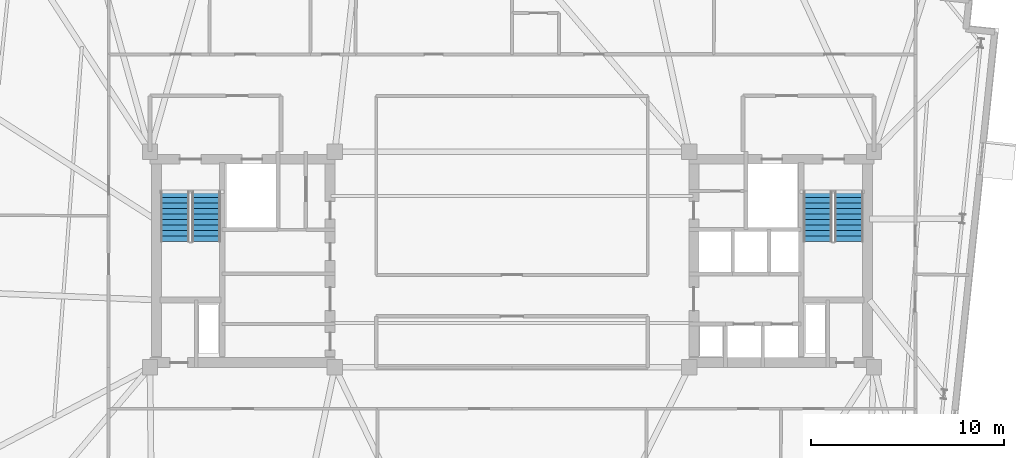
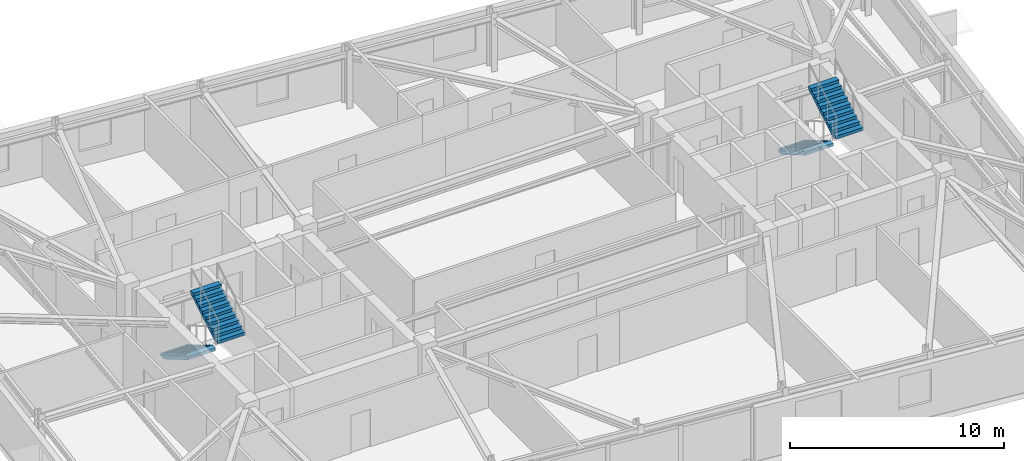
# One storey, part 11 of 13: 4 stair flights, 2 elements without a shape of their own.
"""IFC4 building model written with IfcOpenShell, lengths in metres."""

from ifc_helpers import new_model, si_unit, direction, frame, origin, place, context, subcontext, project, spatial, polyline, outline, extrude, material, type_object, element, aggregate, save


model = new_model("IFC4")

# Units and contexts
model_context = context("Model", 3, precision=1e-05, world=origin(), true_north=direction((0.0, 1.0)))
body_context = subcontext(model_context, "Body", "Model", "MODEL_VIEW")
ifc_project = project(units=[si_unit("LENGTHUNIT", "METRE"), si_unit("AREAUNIT", "SQUARE_METRE"), si_unit("VOLUMEUNIT", "CUBIC_METRE"), si_unit("PLANEANGLEUNIT", "RADIAN"), si_unit("MASSUNIT", "GRAM", prefix="KILO")], contexts=[model_context])

# Site, building, storey
site_placement = place(None, origin())
site = spatial("IfcSite", under=ifc_project, at=site_placement, CompositionType="ELEMENT")
building_placement = place(site_placement, origin())
building = spatial("IfcBuilding", under=site, at=building_placement, Name="Qobustan Lattice House", CompositionType="ELEMENT")
storey_placement = place(building_placement, frame((0.0, 0.0, 196.39990234375)))
storey = spatial("IfcBuildingStorey", under=building, at=storey_placement, Name="L55", CompositionType="ELEMENT", Elevation=196.39990234375)

# Stair, stair flights
ifc_material_1 = material(Name="Concrete C40/50", Category="concrete")
stair_type = type_object("IfcStairType", Name="STR-CORE-DOGLEG", PredefinedType="HALF_TURN_STAIR", material=ifc_material_1)
stair_1_placement = place(storey_placement, origin())
stair_1 = element("IfcStair", 1, at=stair_1_placement, inside=storey, type_object=stair_type, Name="L55 West protected exit stair ST-W1", PredefinedType="HALF_TURN_STAIR")
ifc_material_2 = material(Name="Concrete C40/50", Category="concrete")
stair_flight_type = type_object("IfcStairFlightType", Name="SFL-RC-1500", PredefinedType="STRAIGHT", material=ifc_material_2)
stair_flight_1_placement = place(storey_placement, frame((-17.5, 3.5, 0.0), z_axis=(0.0, 0.0, 1.0), x_axis=(0.0, -1.0, 0.0)))
stair_flight_1 = element("IfcStairFlight", 2, at=stair_flight_1_placement, type_object=stair_flight_type, Name="ST-W1 flight 1", NumberOfRisers=10, NumberOfTreads=9, PredefinedType="STRAIGHT", RiserHeight=0.1675, TreadLength=0.285, context=body_context, shape_type="SweptSolid", body=[
    extrude(outline(polyline([(0.0, 0.0), (0.0, 0.16748046875), (0.284912109375, 0.16748046875), (0.284912109375, 0.3349609375), (0.570068359375, 0.3349609375), (0.570068359375, 0.50244140625), (0.85498046875, 0.50244140625), (0.85498046875, 0.669921875), (1.139892578125, 0.669921875), (1.139892578125, 0.83740234375), (1.425048828125, 0.83740234375), (1.425048828125, 1.0048828125), (1.7099609375, 1.0048828125), (1.7099609375, 1.172607421875), (1.9951171875, 1.172607421875), (1.9951171875, 1.340087890625), (2.280029296875, 1.340087890625), (2.280029296875, 1.507568359375), (2.56494140625, 1.507568359375), (2.56494140625, 1.675048828125), (2.56494140625, 1.333740234375), (0.2958984375, 0.0), (0.0, 0.0)])), frame((0.0, 0.75, 0.0), z_axis=(0.0, -1.0, 0.0), x_axis=(1.0, 0.0, 0.0)), (0.0, 0.0, 1.0), 1.5),
])
stair_flight_2_placement = place(storey_placement, frame((-15.8798828125, 0.93505859375, 1.675048828125), z_axis=(0.0, 0.0, 1.0), x_axis=(0.0, 1.0, 0.0)))
stair_flight_2 = element("IfcStairFlight", 3, at=stair_flight_2_placement, type_object=stair_flight_type, Name="ST-W1 flight 2", NumberOfRisers=10, NumberOfTreads=9, PredefinedType="STRAIGHT", RiserHeight=0.1675, TreadLength=0.285, context=body_context, shape_type="SweptSolid", body=[
    extrude(outline(polyline([(0.0, 0.0), (0.0, 0.16748046875), (0.284912109375, 0.16748046875), (0.284912109375, 0.3349609375), (0.570068359375, 0.3349609375), (0.570068359375, 0.50244140625), (0.85498046875, 0.50244140625), (0.85498046875, 0.669921875), (1.139892578125, 0.669921875), (1.139892578125, 0.83740234375), (1.425048828125, 0.83740234375), (1.425048828125, 1.0048828125), (1.7099609375, 1.0048828125), (1.7099609375, 1.172607421875), (1.9951171875, 1.172607421875), (1.9951171875, 1.340087890625), (2.280029296875, 1.340087890625), (2.280029296875, 1.507568359375), (2.56494140625, 1.507568359375), (2.56494140625, 1.675048828125), (2.56494140625, 1.333740234375), (0.2958984375, 0.0), (0.0, 0.0)])), frame((0.0, 0.75, 0.0), z_axis=(0.0, -1.0, 0.0), x_axis=(1.0, 0.0, 0.0)), (0.0, 0.0, 1.0), 1.5),
])
aggregate(stair_1, [stair_flight_1, stair_flight_2])

stair_2_placement = place(storey_placement, origin())
stair_2 = element("IfcStair", 4, at=stair_2_placement, inside=storey, type_object=stair_type, Name="L55 East protected exit stair ST-E1", PredefinedType="HALF_TURN_STAIR")
stair_flight_3_placement = place(storey_placement, frame((15.8798828125, 3.5, 0.0), z_axis=(0.0, 0.0, 1.0), x_axis=(0.0, -1.0, 0.0)))
stair_flight_3 = element("IfcStairFlight", 5, at=stair_flight_3_placement, type_object=stair_flight_type, Name="ST-E1 flight 1", NumberOfRisers=10, NumberOfTreads=9, PredefinedType="STRAIGHT", RiserHeight=0.1675, TreadLength=0.285, context=body_context, shape_type="SweptSolid", body=[
    extrude(outline(polyline([(0.0, 0.0), (0.0, 0.16748046875), (0.284912109375, 0.16748046875), (0.284912109375, 0.3349609375), (0.570068359375, 0.3349609375), (0.570068359375, 0.50244140625), (0.85498046875, 0.50244140625), (0.85498046875, 0.669921875), (1.139892578125, 0.669921875), (1.139892578125, 0.83740234375), (1.425048828125, 0.83740234375), (1.425048828125, 1.0048828125), (1.7099609375, 1.0048828125), (1.7099609375, 1.172607421875), (1.9951171875, 1.172607421875), (1.9951171875, 1.340087890625), (2.280029296875, 1.340087890625), (2.280029296875, 1.507568359375), (2.56494140625, 1.507568359375), (2.56494140625, 1.675048828125), (2.56494140625, 1.333740234375), (0.2958984375, 0.0), (0.0, 0.0)])), frame((0.0, 0.75, 0.0), z_axis=(0.0, -1.0, 0.0), x_axis=(1.0, 0.0, 0.0)), (0.0, 0.0, 1.0), 1.5),
])
stair_flight_4_placement = place(storey_placement, frame((17.5, 0.93505859375, 1.675048828125), z_axis=(0.0, 0.0, 1.0), x_axis=(0.0, 1.0, 0.0)))
stair_flight_4 = element("IfcStairFlight", 6, at=stair_flight_4_placement, type_object=stair_flight_type, Name="ST-E1 flight 2", NumberOfRisers=10, NumberOfTreads=9, PredefinedType="STRAIGHT", RiserHeight=0.1675, TreadLength=0.285, context=body_context, shape_type="SweptSolid", body=[
    extrude(outline(polyline([(0.0, 0.0), (0.0, 0.16748046875), (0.284912109375, 0.16748046875), (0.284912109375, 0.3349609375), (0.570068359375, 0.3349609375), (0.570068359375, 0.50244140625), (0.85498046875, 0.50244140625), (0.85498046875, 0.669921875), (1.139892578125, 0.669921875), (1.139892578125, 0.83740234375), (1.425048828125, 0.83740234375), (1.425048828125, 1.0048828125), (1.7099609375, 1.0048828125), (1.7099609375, 1.172607421875), (1.9951171875, 1.172607421875), (1.9951171875, 1.340087890625), (2.280029296875, 1.340087890625), (2.280029296875, 1.507568359375), (2.56494140625, 1.507568359375), (2.56494140625, 1.675048828125), (2.56494140625, 1.333740234375), (0.2958984375, 0.0), (0.0, 0.0)])), frame((0.0, 0.75, 0.0), z_axis=(0.0, -1.0, 0.0), x_axis=(1.0, 0.0, 0.0)), (0.0, 0.0, 1.0), 1.5),
])
aggregate(stair_2, [stair_flight_3, stair_flight_4])

save(model, "model.ifc")
